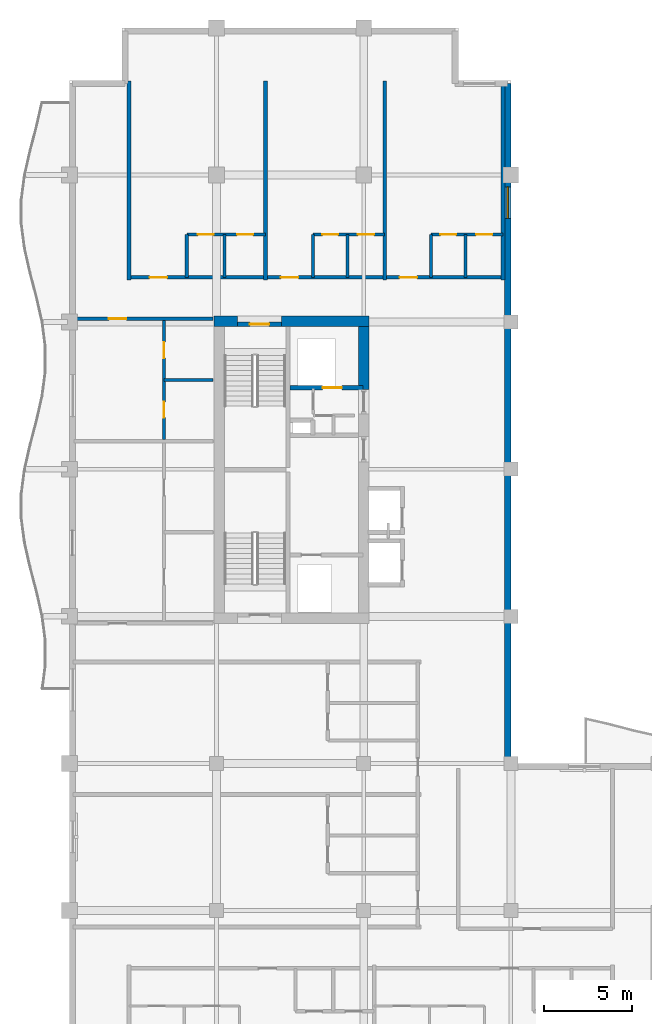
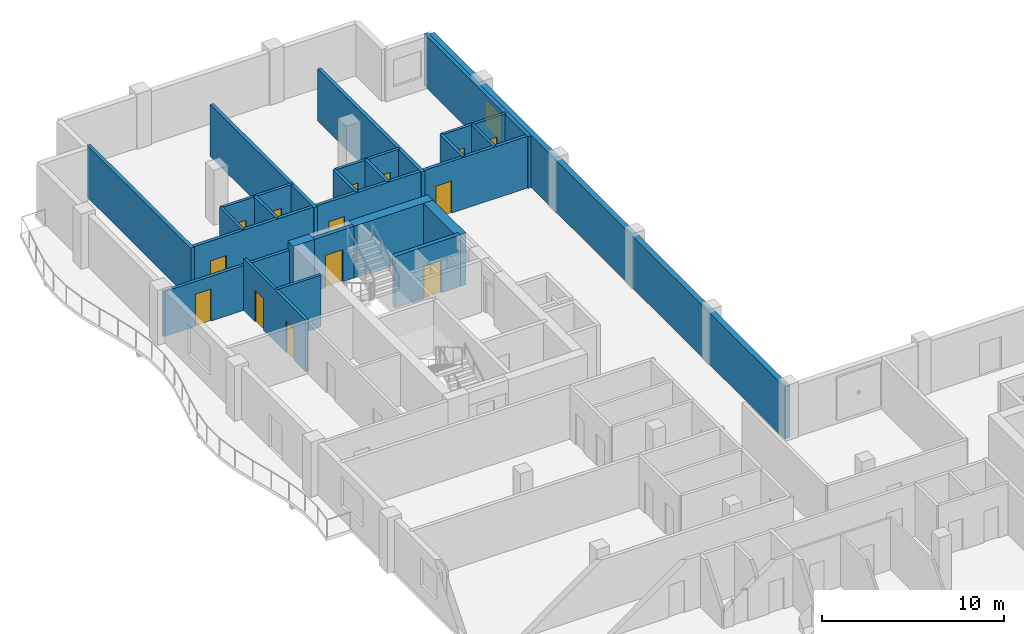
# One storey, part 7 of 12: 23 walls, 14 doors, 1 window, 15 openings.
"""IFC4 building model written with IfcOpenShell, lengths in metres."""

from ifc_helpers import new_model, si_unit, direction, frame, frame_2d, origin, place, context, subcontext, project, spatial, rectangle, extrude, material, layer, layer_set, type_object, element, fill, save


model = new_model("IFC4")

# Units and contexts
model_context = context("Model", 3, precision=1e-05, world=origin(), true_north=direction((0.0, 1.0)))
body_context = subcontext(model_context, "Body", "Model", "MODEL_VIEW")
ifc_project = project(units=[si_unit("LENGTHUNIT", "METRE"), si_unit("AREAUNIT", "SQUARE_METRE"), si_unit("VOLUMEUNIT", "CUBIC_METRE"), si_unit("PLANEANGLEUNIT", "RADIAN"), si_unit("MASSUNIT", "GRAM", prefix="KILO")], contexts=[model_context])

# Site, building, storey
site_placement = place(None, origin())
site = spatial("IfcSite", under=ifc_project, at=site_placement, CompositionType="ELEMENT")
building_placement = place(site_placement, origin())
building = spatial("IfcBuilding", under=site, at=building_placement, Name="Koriwani Terraces Tower", CompositionType="ELEMENT")
storey_placement = place(building_placement, frame((0.0, 0.0, 263.800048828125)))
storey = spatial("IfcBuildingStorey", under=building, at=storey_placement, Name="L65", CompositionType="ELEMENT", Elevation=263.800048828125)

# Walls
ifc_material_1 = material(Name="Concrete C60/75", Category="concrete")
ifc_layer_1 = layer(ifc_material_1, 0.60009765625, Name="Concrete C60/75")
ifc_layer_set_1 = layer_set([ifc_layer_1], Name="Concrete C60/75")
wall_type_1 = type_object("IfcWallType", Name="WALL_CORE_RC_600", PredefinedType="SHEAR", material=ifc_layer_set_1)
wall_1_placement = place(storey_placement, frame((16.64990234375, 58.85009765625, 0.0), z_axis=(0.0, 0.0, 1.0), x_axis=(1.0, 0.0, 0.0)))
element("IfcWall", 1, at=wall_1_placement, inside=storey, type_object=wall_type_1, Name="L65 West Split Core Shear Wall N1", PredefinedType="SHEAR", context=body_context, shape_type="SweptSolid", body=[
    extrude(rectangle(XDim=1.35009765625, YDim=0.60009765625, at=frame_2d((0.675048828125, 0.0))), origin(), (0.0, 0.0, 1.0), 3.469970703125),
])
wall_2_placement = place(storey_placement, frame((20.5, 58.85009765625, 0.0), z_axis=(0.0, 0.0, 1.0), x_axis=(1.0, 0.0, 0.0)))
element("IfcWall", 2, at=wall_2_placement, inside=storey, type_object=wall_type_1, Name="L65 West Split Core Shear Wall N2", PredefinedType="SHEAR", context=body_context, shape_type="SweptSolid", body=[
    extrude(rectangle(XDim=5.0, YDim=0.60009765625, at=frame_2d((2.5, 0.0))), origin(), (0.0, 0.0, 1.0), 3.469970703125),
])
wall_3_placement = place(storey_placement, frame((25.199951171875, 54.949951171875, 0.0), z_axis=(0.0, 0.0, 1.0), x_axis=(0.0, 1.0, 0.0)))
element("IfcWall", 3, at=wall_3_placement, inside=storey, type_object=wall_type_1, Name="L65 West Split Core Shear Wall E3", PredefinedType="SHEAR", context=body_context, shape_type="SweptSolid", body=[
    extrude(rectangle(XDim=3.60009765625, YDim=0.60009765625, at=frame_2d((1.800048828125, 0.0))), origin(), (0.0, 0.0, 1.0), 3.469970703125),
])

# Wall, opening, door
ifc_material_2 = material(Name="Autoclaved Cellular Concrete Blockwork", Category="masonry")
ifc_layer_2 = layer(ifc_material_2, 0.199951171875, Name="Autoclaved Cellular Concrete Blockwork")
ifc_layer_set_2 = layer_set([ifc_layer_2], Name="Autoclaved Cellular Concrete Blockwork")
wall_type_2 = type_object("IfcWallType", Name="WALL_CORRIDOR_200", PredefinedType="PARTITIONING", material=ifc_layer_set_2)
wall_4_placement = place(storey_placement, frame((8.64990234375, 59.0, 0.0), z_axis=(0.0, 0.0, 1.0), x_axis=(1.0, 0.0, 0.0)))
wall_4 = element("IfcWall", 4, at=wall_4_placement, inside=storey, type_object=wall_type_2, Name="L65 Interior Wall WRZ4-WN-L65", PredefinedType="PARTITIONING", context=body_context, shape_type="SweptSolid", body=[
    extrude(rectangle(XDim=7.9501953125, YDim=0.199951171875, at=frame_2d((3.97509765625, 0.0))), origin(), (0.0, 0.0, 1.0), 3.0068359375),
])
opening_1_placement = place(wall_4_placement, frame((2.0, 0.0, 0.0)))
opening_1 = element("IfcOpeningElement", 5, at=opening_1_placement, cuts=wall_4, Name="Opening D-05", PredefinedType="OPENING", context=body_context, shape_type="SweptSolid", body=[
    extrude(rectangle(XDim=1.0, YDim=2.14990234375, at=frame_2d((0.5, 1.074951171875))), frame((0.0, 0.10986328125, 0.0), z_axis=(0.0, -1.0, 0.0), x_axis=(1.0, 0.0, 0.0)), (0.0, 0.0, 1.0), 0.219970703125),
])
ifc_material_3 = material(Name="Architectural Oak Fire Door", Category="wood")
door_type_1 = type_object("IfcDoorType", Name="DOOR_SUITE_ENTRY_1000X2150", OperationType="NOTDEFINED", PredefinedType="DOOR", material=ifc_material_3)
door_1_placement = place(opening_1_placement, origin())
door_1 = element("IfcDoor", 6, at=door_1_placement, inside=storey, type_object=door_type_1, Name="Apartment 65RW2 Entrance Door", OperationType="SINGLE_SWING_LEFT", OverallHeight=2.14990234375, OverallWidth=1.0, PredefinedType="DOOR", context=body_context, shape_type="SweptSolid", body=[
    extrude(rectangle(XDim=1.0, YDim=2.14990234375, at=frame_2d((0.5, 1.074951171875))), frame((0.0, 0.02490234375, 0.0), z_axis=(0.0, -1.0, 0.0), x_axis=(1.0, 0.0, 0.0)), (0.0, 0.0, 1.0), 0.050048828125),
])
fill(opening_1, door_1)

# Wall, openings, doors
wall_5_placement = place(storey_placement, frame((11.800048828125, 61.35009765625, 0.0), z_axis=(0.0, 0.0, 1.0), x_axis=(1.0, 0.0, 0.0)))
wall_5 = element("IfcWall", 7, at=wall_5_placement, inside=storey, type_object=wall_type_2, Name="L65 Interior Wall WRCOR-L65-NTS-0", PredefinedType="PARTITIONING", context=body_context, shape_type="SweptSolid", body=[
    extrude(rectangle(XDim=21.349853515625, YDim=0.199951171875, at=frame_2d((10.6748046875, 0.0))), origin(), (0.0, 0.0, 1.0), 3.469970703125),
])
opening_2_placement = place(wall_5_placement, frame((1.169921875, 0.0, 0.0)))
opening_2 = element("IfcOpeningElement", 8, at=opening_2_placement, cuts=wall_5, Name="Opening D-05", PredefinedType="OPENING", context=body_context, shape_type="SweptSolid", body=[
    extrude(rectangle(XDim=1.0, YDim=2.14990234375, at=frame_2d((0.5, 1.074951171875))), frame((0.0, 0.10986328125, 0.0), z_axis=(0.0, -1.0, 0.0), x_axis=(1.0, 0.0, 0.0)), (0.0, 0.0, 1.0), 0.219970703125),
])
opening_3_placement = place(wall_5_placement, frame((8.669921875, 0.0, 0.0)))
opening_3 = element("IfcOpeningElement", 9, at=opening_3_placement, cuts=wall_5, Name="Opening D-05", PredefinedType="OPENING", context=body_context, shape_type="SweptSolid", body=[
    extrude(rectangle(XDim=1.0, YDim=2.14990234375, at=frame_2d((0.5, 1.074951171875))), frame((0.0, 0.10986328125, 0.0), z_axis=(0.0, -1.0, 0.0), x_axis=(1.0, 0.0, 0.0)), (0.0, 0.0, 1.0), 0.219970703125),
])
opening_4_placement = place(wall_5_placement, frame((15.445068359375, 0.0, 0.0)))
opening_4 = element("IfcOpeningElement", 10, at=opening_4_placement, cuts=wall_5, Name="Opening D-05", PredefinedType="OPENING", context=body_context, shape_type="SweptSolid", body=[
    extrude(rectangle(XDim=1.0, YDim=2.14990234375, at=frame_2d((0.5, 1.074951171875))), frame((0.0, 0.10986328125, 0.0), z_axis=(0.0, -1.0, 0.0), x_axis=(1.0, 0.0, 0.0)), (0.0, 0.0, 1.0), 0.219970703125),
])
door_2_placement = place(opening_2_placement, origin())
door_2 = element("IfcDoor", 11, at=door_2_placement, inside=storey, type_object=door_type_1, Name="Apartment 65NTS1 Entrance Door", OperationType="SINGLE_SWING_RIGHT", OverallHeight=2.14990234375, OverallWidth=1.0, PredefinedType="DOOR", context=body_context, shape_type="SweptSolid", body=[
    extrude(rectangle(XDim=1.0, YDim=2.14990234375, at=frame_2d((0.5, 1.074951171875))), frame((0.0, 0.02490234375, 0.0), z_axis=(0.0, -1.0, 0.0), x_axis=(1.0, 0.0, 0.0)), (0.0, 0.0, 1.0), 0.050048828125),
])
fill(opening_2, door_2)
door_3_placement = place(opening_3_placement, origin())
door_3 = element("IfcDoor", 12, at=door_3_placement, inside=storey, type_object=door_type_1, Name="Apartment 65NTS2 Entrance Door", OperationType="SINGLE_SWING_LEFT", OverallHeight=2.14990234375, OverallWidth=1.0, PredefinedType="DOOR", context=body_context, shape_type="SweptSolid", body=[
    extrude(rectangle(XDim=1.0, YDim=2.14990234375, at=frame_2d((0.5, 1.074951171875))), frame((0.0, 0.02490234375, 0.0), z_axis=(0.0, -1.0, 0.0), x_axis=(1.0, 0.0, 0.0)), (0.0, 0.0, 1.0), 0.050048828125),
])
fill(opening_3, door_3)
door_4_placement = place(opening_4_placement, origin())
door_4 = element("IfcDoor", 13, at=door_4_placement, inside=storey, type_object=door_type_1, Name="Apartment 65NTS3 Entrance Door", OperationType="SINGLE_SWING_RIGHT", OverallHeight=2.14990234375, OverallWidth=1.0, PredefinedType="DOOR", context=body_context, shape_type="SweptSolid", body=[
    extrude(rectangle(XDim=1.0, YDim=2.14990234375, at=frame_2d((0.5, 1.074951171875))), frame((0.0, 0.02490234375, 0.0), z_axis=(0.0, -1.0, 0.0), x_axis=(1.0, 0.0, 0.0)), (0.0, 0.0, 1.0), 0.050048828125),
])
fill(opening_4, door_4)

# Walls
ifc_layer_3 = layer(ifc_material_2, 0.219970703125, Name="Autoclaved Cellular Concrete Blockwork")
ifc_layer_set_3 = layer_set([ifc_layer_3], Name="Autoclaved Cellular Concrete Blockwork")
wall_type_3 = type_object("IfcWallType", Name="WALL_DEMISING_220", PredefinedType="PARTITIONING", material=ifc_layer_set_3)
for number, where, z_axis, x_axis, name in (
    (14, (11.800048828125, 61.199951171875, 0.0), (0.0, 0.0, 1.0), (0.0, 1.0, 0.0), "L65 Interior Wall WRDEM-L65-NTS-0"),
    (15, (19.60009765625, 61.199951171875, 0.0), (0.0, 0.0, 1.0), (0.0, 1.0, 0.0), "L65 Interior Wall WRDEM-L65-NTS-1"),
    (16, (26.39990234375, 61.199951171875, 0.0), (0.0, 0.0, 1.0), (0.0, 1.0, 0.0), "L65 Interior Wall WRDEM-L65-NTS-2"),
    (17, (33.14990234375, 61.199951171875, 0.0), (0.0, 0.0, 1.0), (0.0, 1.0, 0.0), "L65 Interior Wall WRDEME-L65-NTS"),
):
    element("IfcWall", number, at=place(storey_placement, frame(where, z_axis=z_axis, x_axis=x_axis)), inside=storey, type_object=wall_type_3, Name=name, PredefinedType="PARTITIONING", context=body_context, shape_type="SweptSolid", body=[
        extrude(rectangle(XDim=11.380126953125, YDim=0.219970703125, at=frame_2d((5.68994140625, 0.0))), origin(), (0.0, 0.0, 1.0), 3.469970703125),
    ])

# Wall, opening, window
ifc_material_4 = material(Name="Concrete C50/60", Category="concrete")
ifc_layer_4 = layer(ifc_material_4, 0.35009765625, Name="Concrete C50/60")
ifc_layer_set_4 = layer_set([ifc_layer_4], Name="Concrete C50/60")
wall_type_4 = type_object("IfcWallType", Name="WALL_EXT_BRUTALIST_350", PredefinedType="STANDARD", material=ifc_layer_set_4)
wall_6_placement = place(storey_placement, frame((33.425048828125, 72.425048828125, 0.0), z_axis=(0.0, 0.0, 1.0), x_axis=(0.0, -1.0, 0.0)))
wall_6 = element("IfcWall", 18, at=wall_6_placement, inside=storey, type_object=wall_type_4, Name="L65 Fair-Faced Brutalist Exterior Wall (NW_IN)", PredefinedType="STANDARD", context=body_context, shape_type="SweptSolid", body=[
    extrude(rectangle(XDim=39.0, YDim=0.35009765625, at=frame_2d((19.5, 0.0))), origin(), (0.0, 0.0, 1.0), 3.469970703125),
])
opening_5_placement = place(wall_6_placement, frame((5.89990234375, 0.0, 0.85009765625)))
opening_5 = element("IfcOpeningElement", 19, at=opening_5_placement, cuts=wall_6, Name="Opening W-04", PredefinedType="OPENING", context=body_context, shape_type="SweptSolid", body=[
    extrude(rectangle(XDim=1.800048828125, YDim=1.800048828125, at=frame_2d((0.89990234375, 0.89990234375))), frame((0.0, 0.18505859375, 0.0), z_axis=(0.0, -1.0, 0.0), x_axis=(1.0, 0.0, 0.0)), (0.0, 0.0, 1.0), 0.3701171875),
])
ifc_material_5 = material(Name="Tempered Laminated Low-E Glass", Category="glass")
window_type = type_object("IfcWindowType", Name="WIN_RES_BED_1800X1800", PartitioningType="DOUBLE_PANEL_VERTICAL", PredefinedType="WINDOW", material=ifc_material_5)
window_placement = place(opening_5_placement, origin())
window = element("IfcWindow", 20, at=window_placement, inside=storey, type_object=window_type, Name="L65 Exterior Window (NW_IN-R55)", OverallHeight=1.800048828125, OverallWidth=1.800048828125, PartitioningType="SINGLE_PANEL", PredefinedType="WINDOW", context=body_context, shape_type="SweptSolid", body=[
    extrude(rectangle(XDim=1.800048828125, YDim=1.800048828125, at=frame_2d((0.89990234375, 0.89990234375))), frame((0.0, 0.030029296875, 0.0), z_axis=(0.0, -1.0, 0.0), x_axis=(1.0, 0.0, 0.0)), (0.0, 0.0, 1.0), 0.06005859375),
])
fill(opening_5, window)

# Wall, openings, doors
ifc_material_6 = material(Name="Fire-Rated Acoustic Gypsum Partition", Category="masonry")
ifc_layer_5 = layer(ifc_material_6, 0.179931640625, Name="Fire-Rated Acoustic Gypsum Partition")
ifc_layer_set_5 = layer_set([ifc_layer_5], Name="Fire-Rated Acoustic Gypsum Partition")
wall_type_5 = type_object("IfcWallType", Name="WALL_PLUMBING_180", PredefinedType="PLUMBINGWALL", material=ifc_layer_set_5)
wall_7_placement = place(storey_placement, frame((13.800048828125, 52.10009765625, 0.0), z_axis=(0.0, 0.0, 1.0), x_axis=(0.0, 1.0, 0.0)))
wall_7 = element("IfcWall", 21, at=wall_7_placement, inside=storey, type_object=wall_type_5, Name="L65 Interior Wall WRZ4-RW2-PB-L65", PredefinedType="PLUMBINGWALL", context=body_context, shape_type="SweptSolid", body=[
    extrude(rectangle(XDim=6.7998046875, YDim=0.179931640625, at=frame_2d((3.39990234375, 0.0))), origin(), (0.0, 0.0, 1.0), 3.469970703125),
])
opening_6_placement = place(wall_7_placement, frame((1.25, 0.0, 0.0)))
opening_6 = element("IfcOpeningElement", 22, at=opening_6_placement, cuts=wall_7, Name="Opening D-07", PredefinedType="OPENING", context=body_context, shape_type="SweptSolid", body=[
    extrude(rectangle(XDim=0.89990234375, YDim=2.10009765625, at=frame_2d((0.449951171875, 1.050048828125))), frame((0.0, 0.10009765625, 0.0), z_axis=(0.0, -1.0, 0.0), x_axis=(1.0, 0.0, 0.0)), (0.0, 0.0, 1.0), 0.199951171875),
])
opening_7_placement = place(wall_7_placement, frame((4.639892578125, 0.0, 0.0)))
opening_7 = element("IfcOpeningElement", 23, at=opening_7_placement, cuts=wall_7, Name="Opening D-06", PredefinedType="OPENING", context=body_context, shape_type="SweptSolid", body=[
    extrude(rectangle(XDim=0.919921875, YDim=2.10009765625, at=frame_2d((0.4599609375, 1.050048828125))), frame((0.0, 0.10009765625, 0.0), z_axis=(0.0, -1.0, 0.0), x_axis=(1.0, 0.0, 0.0)), (0.0, 0.0, 1.0), 0.199951171875),
])
door_type_2 = type_object("IfcDoorType", Name="DOOR_BATH_INT_900X2100", OperationType="NOTDEFINED", PredefinedType="DOOR", material=ifc_material_3)
door_5_placement = place(opening_6_placement, origin())
door_5 = element("IfcDoor", 24, at=door_5_placement, inside=storey, type_object=door_type_2, Name="Apartment 65RW2 Bathroom Door", OperationType="SINGLE_SWING_RIGHT", OverallHeight=2.10009765625, OverallWidth=0.89990234375, PredefinedType="DOOR", context=body_context, shape_type="SweptSolid", body=[
    extrude(rectangle(XDim=0.89990234375, YDim=2.10009765625, at=frame_2d((0.449951171875, 1.050048828125))), frame((0.0, 0.02490234375, 0.0), z_axis=(0.0, -1.0, 0.0), x_axis=(1.0, 0.0, 0.0)), (0.0, 0.0, 1.0), 0.050048828125),
])
fill(opening_6, door_5)
door_type_3 = type_object("IfcDoorType", Name="DOOR_ROOM_INT_920X2100", OperationType="NOTDEFINED", PredefinedType="DOOR", material=ifc_material_3)
door_6_placement = place(opening_7_placement, origin())
door_6 = element("IfcDoor", 25, at=door_6_placement, inside=storey, type_object=door_type_3, Name="Apartment 65RW2 Kitchen Door", OperationType="SINGLE_SWING_LEFT", OverallHeight=2.10009765625, OverallWidth=0.919921875, PredefinedType="DOOR", context=body_context, shape_type="SweptSolid", body=[
    extrude(rectangle(XDim=0.919921875, YDim=2.10009765625, at=frame_2d((0.4599609375, 1.050048828125))), frame((0.0, 0.02490234375, 0.0), z_axis=(0.0, -1.0, 0.0), x_axis=(1.0, 0.0, 0.0)), (0.0, 0.0, 1.0), 0.050048828125),
])
fill(opening_7, door_6)

# Wall
wall_8_placement = place(storey_placement, frame((13.800048828125, 55.5, 0.0), z_axis=(0.0, 0.0, 1.0), x_axis=(1.0, 0.0, 0.0)))
element("IfcWall", 26, at=wall_8_placement, inside=storey, type_object=wall_type_5, Name="L65 Interior Wall WRZ4-RW2-P2-L65", PredefinedType="PLUMBINGWALL", context=body_context, shape_type="SweptSolid", body=[
    extrude(rectangle(XDim=2.800048828125, YDim=0.179931640625, at=frame_2d((1.39990234375, 0.0))), origin(), (0.0, 0.0, 1.0), 3.469970703125),
])

# Wall, openings, doors
wall_9_placement = place(storey_placement, frame((15.10009765625, 63.800048828125, 0.0), z_axis=(0.0, 0.0, 1.0), x_axis=(1.0, 0.0, 0.0)))
wall_9 = element("IfcWall", 27, at=wall_9_placement, inside=storey, type_object=wall_type_5, Name="L65 Interior Wall WRSVC-L65-NTS-0", PredefinedType="PLUMBINGWALL", context=body_context, shape_type="SweptSolid", body=[
    extrude(rectangle(XDim=4.5, YDim=0.179931640625, at=frame_2d((2.25, 0.0))), origin(), (0.0, 0.0, 1.0), 3.469970703125),
])
opening_8_placement = place(wall_9_placement, frame((0.6298828125, 0.0, 0.0)))
opening_8 = element("IfcOpeningElement", 28, at=opening_8_placement, cuts=wall_9, Name="Opening D-07", PredefinedType="OPENING", context=body_context, shape_type="SweptSolid", body=[
    extrude(rectangle(XDim=0.89990234375, YDim=2.10009765625, at=frame_2d((0.449951171875, 1.050048828125))), frame((0.0, 0.10009765625, 0.0), z_axis=(0.0, -1.0, 0.0), x_axis=(1.0, 0.0, 0.0)), (0.0, 0.0, 1.0), 0.199951171875),
])
opening_9_placement = place(wall_9_placement, frame((2.8701171875, 0.0, 0.0)))
opening_9 = element("IfcOpeningElement", 29, at=opening_9_placement, cuts=wall_9, Name="Opening D-06", PredefinedType="OPENING", context=body_context, shape_type="SweptSolid", body=[
    extrude(rectangle(XDim=0.919921875, YDim=2.10009765625, at=frame_2d((0.4599609375, 1.050048828125))), frame((0.0, 0.10009765625, 0.0), z_axis=(0.0, -1.0, 0.0), x_axis=(1.0, 0.0, 0.0)), (0.0, 0.0, 1.0), 0.199951171875),
])
door_7_placement = place(opening_8_placement, origin())
door_7 = element("IfcDoor", 30, at=door_7_placement, inside=storey, type_object=door_type_2, Name="Apartment 65NTS1 Bathroom Door", OperationType="SINGLE_SWING_LEFT", OverallHeight=2.10009765625, OverallWidth=0.89990234375, PredefinedType="DOOR", context=body_context, shape_type="SweptSolid", body=[
    extrude(rectangle(XDim=0.89990234375, YDim=2.10009765625, at=frame_2d((0.449951171875, 1.050048828125))), frame((0.0, 0.02490234375, 0.0), z_axis=(0.0, -1.0, 0.0), x_axis=(1.0, 0.0, 0.0)), (0.0, 0.0, 1.0), 0.050048828125),
])
fill(opening_8, door_7)
door_8_placement = place(opening_9_placement, origin())
door_8 = element("IfcDoor", 31, at=door_8_placement, inside=storey, type_object=door_type_3, Name="Apartment 65NTS1 Kitchen Door", OperationType="SINGLE_SWING_RIGHT", OverallHeight=2.10009765625, OverallWidth=0.919921875, PredefinedType="DOOR", context=body_context, shape_type="SweptSolid", body=[
    extrude(rectangle(XDim=0.919921875, YDim=2.10009765625, at=frame_2d((0.4599609375, 1.050048828125))), frame((0.0, 0.02490234375, 0.0), z_axis=(0.0, -1.0, 0.0), x_axis=(1.0, 0.0, 0.0)), (0.0, 0.0, 1.0), 0.050048828125),
])
fill(opening_9, door_8)

# Walls
for number, where, z_axis, x_axis, name in (
    (32, (15.10009765625, 61.35009765625, 0.0), (0.0, 0.0, 1.0), (0.0, 1.0, 0.0), "L65 Interior Wall WRSVCS-L65-NTS-0"),
    (33, (17.260009765625, 61.35009765625, 0.0), (0.0, 0.0, 1.0), (0.0, 1.0, 0.0), "L65 Interior Wall WRSVCM-L65-NTS-0"),
):
    element("IfcWall", number, at=place(storey_placement, frame(where, z_axis=z_axis, x_axis=x_axis)), inside=storey, type_object=wall_type_5, Name=name, PredefinedType="PLUMBINGWALL", context=body_context, shape_type="SweptSolid", body=[
        extrude(rectangle(XDim=2.449951171875, YDim=0.179931640625, at=frame_2d((1.22509765625, 0.0))), origin(), (0.0, 0.0, 1.0), 3.469970703125),
    ])

# Wall, openings, doors
wall_10_placement = place(storey_placement, frame((22.300048828125, 63.800048828125, 0.0), z_axis=(0.0, 0.0, 1.0), x_axis=(1.0, 0.0, 0.0)))
wall_10 = element("IfcWall", 34, at=wall_10_placement, inside=storey, type_object=wall_type_5, Name="L65 Interior Wall WRSVC-L65-NTS-1", PredefinedType="PLUMBINGWALL", context=body_context, shape_type="SweptSolid", body=[
    extrude(rectangle(XDim=4.099853515625, YDim=0.179931640625, at=frame_2d((2.0498046875, 0.0))), origin(), (0.0, 0.0, 1.0), 3.469970703125),
])
opening_10_placement = place(wall_10_placement, frame((0.533935546875, 0.0, 0.0)))
opening_10 = element("IfcOpeningElement", 35, at=opening_10_placement, cuts=wall_10, Name="Opening D-07", PredefinedType="OPENING", context=body_context, shape_type="SweptSolid", body=[
    extrude(rectangle(XDim=0.89990234375, YDim=2.10009765625, at=frame_2d((0.449951171875, 1.050048828125))), frame((0.0, 0.10009765625, 0.0), z_axis=(0.0, -1.0, 0.0), x_axis=(1.0, 0.0, 0.0)), (0.0, 0.0, 1.0), 0.199951171875),
])
opening_11_placement = place(wall_10_placement, frame((2.573974609375, 0.0, 0.0)))
opening_11 = element("IfcOpeningElement", 36, at=opening_11_placement, cuts=wall_10, Name="Opening D-06", PredefinedType="OPENING", context=body_context, shape_type="SweptSolid", body=[
    extrude(rectangle(XDim=0.919921875, YDim=2.10009765625, at=frame_2d((0.4599609375, 1.050048828125))), frame((0.0, 0.10009765625, 0.0), z_axis=(0.0, -1.0, 0.0), x_axis=(1.0, 0.0, 0.0)), (0.0, 0.0, 1.0), 0.199951171875),
])
door_9_placement = place(opening_10_placement, origin())
door_9 = element("IfcDoor", 37, at=door_9_placement, inside=storey, type_object=door_type_2, Name="Apartment 65NTS2 Bathroom Door", OperationType="SINGLE_SWING_RIGHT", OverallHeight=2.10009765625, OverallWidth=0.89990234375, PredefinedType="DOOR", context=body_context, shape_type="SweptSolid", body=[
    extrude(rectangle(XDim=0.89990234375, YDim=2.10009765625, at=frame_2d((0.449951171875, 1.050048828125))), frame((0.0, 0.02490234375, 0.0), z_axis=(0.0, -1.0, 0.0), x_axis=(1.0, 0.0, 0.0)), (0.0, 0.0, 1.0), 0.050048828125),
])
fill(opening_10, door_9)
door_10_placement = place(opening_11_placement, origin())
door_10 = element("IfcDoor", 38, at=door_10_placement, inside=storey, type_object=door_type_3, Name="Apartment 65NTS2 Kitchen Door", OperationType="SINGLE_SWING_LEFT", OverallHeight=2.10009765625, OverallWidth=0.919921875, PredefinedType="DOOR", context=body_context, shape_type="SweptSolid", body=[
    extrude(rectangle(XDim=0.919921875, YDim=2.10009765625, at=frame_2d((0.4599609375, 1.050048828125))), frame((0.0, 0.02490234375, 0.0), z_axis=(0.0, -1.0, 0.0), x_axis=(1.0, 0.0, 0.0)), (0.0, 0.0, 1.0), 0.050048828125),
])
fill(opening_11, door_10)

# Walls
for number, where, z_axis, x_axis, name in (
    (39, (22.300048828125, 61.35009765625, 0.0), (0.0, 0.0, 1.0), (0.0, 1.0, 0.0), "L65 Interior Wall WRSVCS-L65-NTS-1"),
    (40, (24.26806640625, 61.35009765625, 0.0), (0.0, 0.0, 1.0), (0.0, 1.0, 0.0), "L65 Interior Wall WRSVCM-L65-NTS-1"),
):
    element("IfcWall", number, at=place(storey_placement, frame(where, z_axis=z_axis, x_axis=x_axis)), inside=storey, type_object=wall_type_5, Name=name, PredefinedType="PLUMBINGWALL", context=body_context, shape_type="SweptSolid", body=[
        extrude(rectangle(XDim=2.449951171875, YDim=0.179931640625, at=frame_2d((1.22509765625, 0.0))), origin(), (0.0, 0.0, 1.0), 3.469970703125),
    ])

# Wall, openings, doors
wall_11_placement = place(storey_placement, frame((29.050048828125, 63.800048828125, 0.0), z_axis=(0.0, 0.0, 1.0), x_axis=(1.0, 0.0, 0.0)))
wall_11 = element("IfcWall", 41, at=wall_11_placement, inside=storey, type_object=wall_type_5, Name="L65 Interior Wall WRSVC-L65-NTS-2", PredefinedType="PLUMBINGWALL", context=body_context, shape_type="SweptSolid", body=[
    extrude(rectangle(XDim=4.099853515625, YDim=0.179931640625, at=frame_2d((2.0498046875, 0.0))), origin(), (0.0, 0.0, 1.0), 3.469970703125),
])
opening_12_placement = place(wall_11_placement, frame((0.533935546875, 0.0, 0.0)))
opening_12 = element("IfcOpeningElement", 42, at=opening_12_placement, cuts=wall_11, Name="Opening D-07", PredefinedType="OPENING", context=body_context, shape_type="SweptSolid", body=[
    extrude(rectangle(XDim=0.89990234375, YDim=2.10009765625, at=frame_2d((0.449951171875, 1.050048828125))), frame((0.0, 0.10009765625, 0.0), z_axis=(0.0, -1.0, 0.0), x_axis=(1.0, 0.0, 0.0)), (0.0, 0.0, 1.0), 0.199951171875),
])
opening_13_placement = place(wall_11_placement, frame((2.573974609375, 0.0, 0.0)))
opening_13 = element("IfcOpeningElement", 43, at=opening_13_placement, cuts=wall_11, Name="Opening D-06", PredefinedType="OPENING", context=body_context, shape_type="SweptSolid", body=[
    extrude(rectangle(XDim=0.919921875, YDim=2.10009765625, at=frame_2d((0.4599609375, 1.050048828125))), frame((0.0, 0.10009765625, 0.0), z_axis=(0.0, -1.0, 0.0), x_axis=(1.0, 0.0, 0.0)), (0.0, 0.0, 1.0), 0.199951171875),
])
door_11_placement = place(opening_12_placement, origin())
door_11 = element("IfcDoor", 44, at=door_11_placement, inside=storey, type_object=door_type_2, Name="Apartment 65NTS3 Bathroom Door", OperationType="SINGLE_SWING_LEFT", OverallHeight=2.10009765625, OverallWidth=0.89990234375, PredefinedType="DOOR", context=body_context, shape_type="SweptSolid", body=[
    extrude(rectangle(XDim=0.89990234375, YDim=2.10009765625, at=frame_2d((0.449951171875, 1.050048828125))), frame((0.0, 0.02490234375, 0.0), z_axis=(0.0, -1.0, 0.0), x_axis=(1.0, 0.0, 0.0)), (0.0, 0.0, 1.0), 0.050048828125),
])
fill(opening_12, door_11)
door_12_placement = place(opening_13_placement, origin())
door_12 = element("IfcDoor", 45, at=door_12_placement, inside=storey, type_object=door_type_3, Name="Apartment 65NTS3 Kitchen Door", OperationType="SINGLE_SWING_RIGHT", OverallHeight=2.10009765625, OverallWidth=0.919921875, PredefinedType="DOOR", context=body_context, shape_type="SweptSolid", body=[
    extrude(rectangle(XDim=0.919921875, YDim=2.10009765625, at=frame_2d((0.4599609375, 1.050048828125))), frame((0.0, 0.02490234375, 0.0), z_axis=(0.0, -1.0, 0.0), x_axis=(1.0, 0.0, 0.0)), (0.0, 0.0, 1.0), 0.050048828125),
])
fill(opening_13, door_12)

# Walls
for number, where, z_axis, x_axis, name in (
    (46, (29.050048828125, 61.35009765625, 0.0), (0.0, 0.0, 1.0), (0.0, 1.0, 0.0), "L65 Interior Wall WRSVCS-L65-NTS-2"),
    (47, (31.01806640625, 61.35009765625, 0.0), (0.0, 0.0, 1.0), (0.0, 1.0, 0.0), "L65 Interior Wall WRSVCM-L65-NTS-2"),
):
    element("IfcWall", number, at=place(storey_placement, frame(where, z_axis=z_axis, x_axis=x_axis)), inside=storey, type_object=wall_type_5, Name=name, PredefinedType="PLUMBINGWALL", context=body_context, shape_type="SweptSolid", body=[
        extrude(rectangle(XDim=2.449951171875, YDim=0.179931640625, at=frame_2d((1.22509765625, 0.0))), origin(), (0.0, 0.0, 1.0), 3.469970703125),
    ])

# Wall, opening, door
ifc_material_7 = material(Name="Concrete C40/50", Category="concrete")
ifc_layer_6 = layer(ifc_material_7, 0.25, Name="Concrete C40/50")
ifc_layer_set_6 = layer_set([ifc_layer_6], Name="Concrete C40/50")
wall_type_6 = type_object("IfcWallType", Name="WALL_SHAFT_RATED_250", PredefinedType="SOLIDWALL", material=ifc_layer_set_6)
wall_12_placement = place(storey_placement, frame((18.0, 58.675048828125, 0.0), z_axis=(0.0, 0.0, 1.0), x_axis=(1.0, 0.0, 0.0)))
wall_12 = element("IfcWall", 48, at=wall_12_placement, inside=storey, type_object=wall_type_6, Name="L65 Interior Wall WIN-CW-L65-STN", PredefinedType="SOLIDWALL", context=body_context, shape_type="SweptSolid", body=[
    extrude(rectangle(XDim=2.5, YDim=0.25, at=frame_2d((1.25, 0.0))), origin(), (0.0, 0.0, 1.0), 3.469970703125),
])
opening_14_placement = place(wall_12_placement, frame((0.699951171875, 0.0, 0.0)))
opening_14 = element("IfcOpeningElement", 49, at=opening_14_placement, cuts=wall_12, Name="Opening D-03", PredefinedType="OPENING", context=body_context, shape_type="SweptSolid", body=[
    extrude(rectangle(XDim=1.10009765625, YDim=2.14990234375, at=frame_2d((0.550048828125, 1.074951171875))), frame((0.0, 0.135009765625, 0.0), z_axis=(0.0, -1.0, 0.0), x_axis=(1.0, 0.0, 0.0)), (0.0, 0.0, 1.0), 0.27001953125),
])
ifc_material_8 = material(Name="Steel ASTM A572 Grade 50", Category="steel")
door_type_4 = type_object("IfcDoorType", Name="DOOR_STAIR_FIRE_1100X2150", OperationType="NOTDEFINED", PredefinedType="DOOR", material=ifc_material_8)
door_13_placement = place(opening_14_placement, origin())
door_13 = element("IfcDoor", 50, at=door_13_placement, inside=storey, type_object=door_type_4, Name="L65 Exit Stair ST-W2 Door", OperationType="SINGLE_SWING_RIGHT", OverallHeight=2.14990234375, OverallWidth=1.10009765625, PredefinedType="DOOR", context=body_context, shape_type="SweptSolid", body=[
    extrude(rectangle(XDim=1.10009765625, YDim=2.14990234375, at=frame_2d((0.550048828125, 1.074951171875))), frame((0.0, 0.02490234375, 0.0), z_axis=(0.0, -1.0, 0.0), x_axis=(1.0, 0.0, 0.0)), (0.0, 0.0, 1.0), 0.050048828125),
])
fill(opening_14, door_13)

wall_13_placement = place(storey_placement, frame((21.0, 55.050048828125, 0.0), z_axis=(0.0, 0.0, 1.0), x_axis=(1.0, 0.0, 0.0)))
wall_13 = element("IfcWall", 51, at=wall_13_placement, inside=storey, type_object=wall_type_6, Name="L65 Interior Wall WIN-CW-L65-SE", PredefinedType="SOLIDWALL", context=body_context, shape_type="SweptSolid", body=[
    extrude(rectangle(XDim=4.14990234375, YDim=0.25, at=frame_2d((2.074951171875, 0.0))), origin(), (0.0, 0.0, 1.0), 3.469970703125),
])
opening_15_placement = place(wall_13_placement, frame((1.85009765625, 0.0, 0.0)))
opening_15 = element("IfcOpeningElement", 52, at=opening_15_placement, cuts=wall_13, Name="Opening LD-01", PredefinedType="OPENING", context=body_context, shape_type="SweptSolid", body=[
    extrude(rectangle(XDim=1.10009765625, YDim=2.14990234375, at=frame_2d((0.550048828125, 1.074951171875))), frame((0.0, 0.135009765625, 0.0), z_axis=(0.0, -1.0, 0.0), x_axis=(1.0, 0.0, 0.0)), (0.0, 0.0, 1.0), 0.27001953125),
])
door_type_5 = type_object("IfcDoorType", Name="DOOR_LIFT_LANDING_1100X2200", OperationType="NOTDEFINED", PredefinedType="DOOR", material=ifc_material_8)
door_14_placement = place(opening_15_placement, origin())
door_14 = element("IfcDoor", 53, at=door_14_placement, inside=storey, type_object=door_type_5, Name="L65 Goods Lift SE-01 Landing Door", OperationType="SLIDING_TO_LEFT", OverallHeight=2.14990234375, OverallWidth=1.10009765625, PredefinedType="DOOR", context=body_context, shape_type="SweptSolid", body=[
    extrude(rectangle(XDim=1.10009765625, YDim=2.14990234375, at=frame_2d((0.550048828125, 1.074951171875))), frame((0.0, 0.02490234375, 0.0), z_axis=(0.0, -1.0, 0.0), x_axis=(1.0, 0.0, 0.0)), (0.0, 0.0, 1.0), 0.050048828125),
])
fill(opening_15, door_14)

save(model, "model.ifc")
